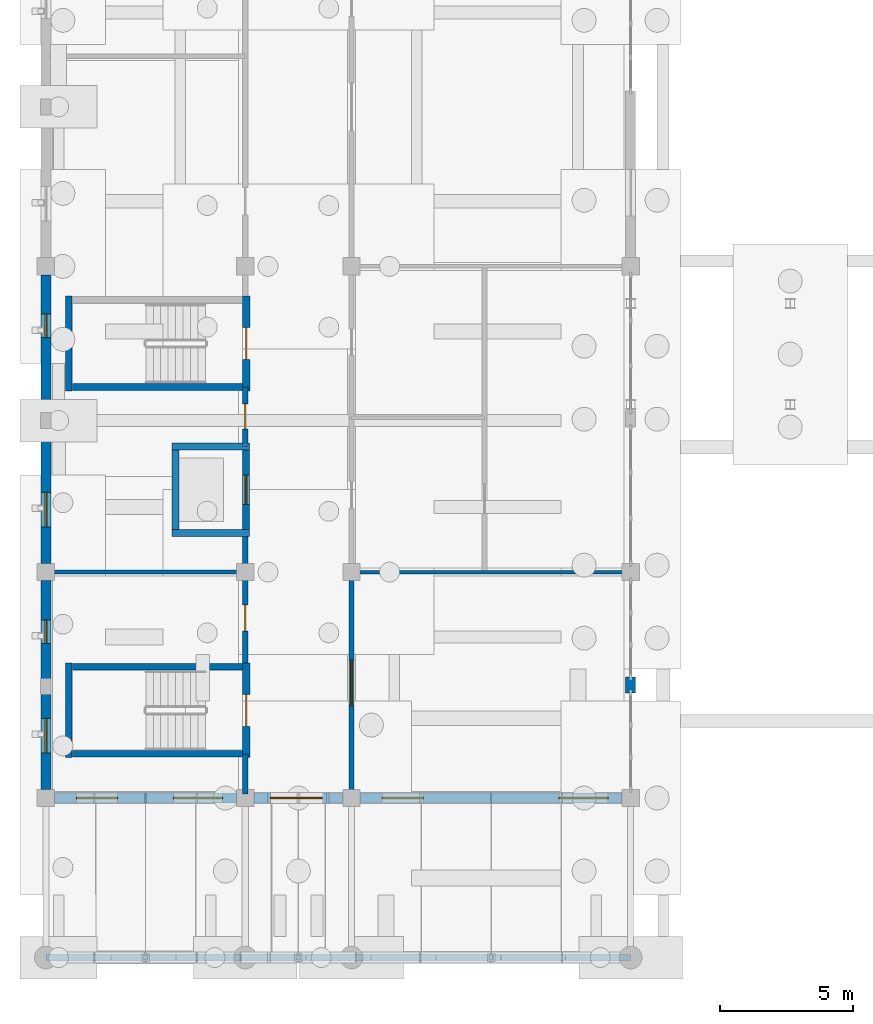
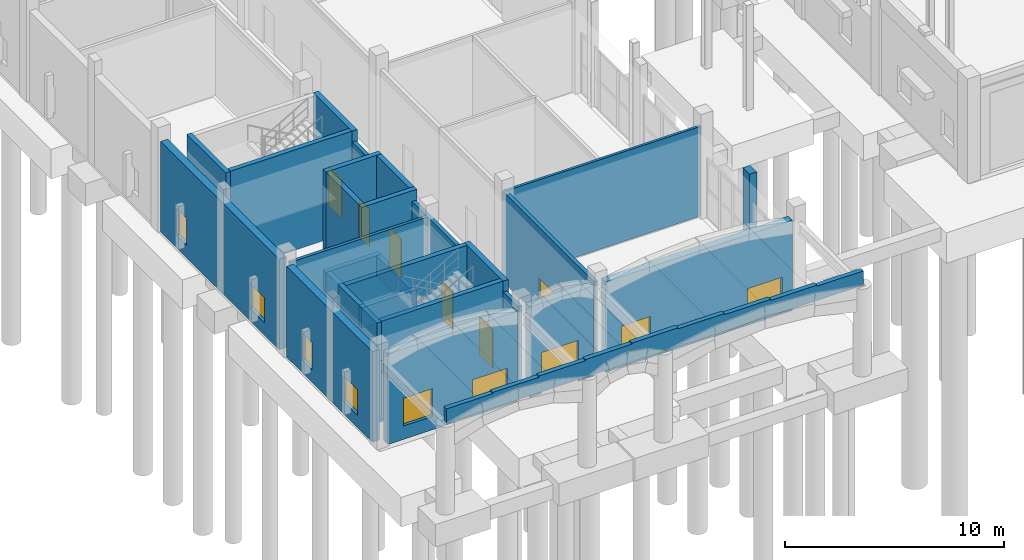
# One storey, part 34 of 60: 28 walls, 8 windows, 7 doors, 15 openings.
"""IFC4 building model written with IfcOpenShell, lengths in metres."""

import ifcopenshell
import ifcopenshell.guid

model = None  # the IFC model being written
_history = None  # IfcOwnerHistory: only IFC2X3 demands one
_inside = {}  # id of a spatial element -> (the spatial element, [elements in it])
_under = {}  # id of a project, library or spatial element -> (it, [spatial elements below it])
_declared = {}  # id of a project -> (the project, [libraries it declares])
_typed = {}  # id of a type object -> (the type object, [elements of that type])
_made_of = {}  # id of a material, layer set ... -> (it, [elements and type objects made of it])


def new_model(schema):
    """Start an empty IFC model of exactly this schema.

    Asked for "IFC4X3", IfcOpenShell would pick the latest addendum, in which some entities
    have other attributes; the version numbers below select the first issue.
    IFC2X3 requires an IfcOwnerHistory on every rooted entity: one is made here for all.
    """
    global model, _history
    if schema == "IFC4X3":
        model = ifcopenshell.file(schema_version=(4, 3, 0, 0))
    else:
        model = ifcopenshell.file(schema=schema)
    _inside.clear()
    _under.clear()
    _declared.clear()
    _typed.clear()
    _made_of.clear()
    _history = None
    if model.schema == "IFC2X3":
        org = make("IfcOrganization", Name="unknown")
        user = make(
            "IfcPersonAndOrganization",
            ThePerson=make("IfcPerson", FamilyName="unknown"),
            TheOrganization=org,
        )
        app = make(
            "IfcApplication",
            ApplicationDeveloper=org,
            Version="unknown",
            ApplicationFullName="unknown",
            ApplicationIdentifier="unknown",
        )
        _history = make(
            "IfcOwnerHistory",
            OwningUser=user,
            OwningApplication=app,
            ChangeAction="ADDED",
            CreationDate=0,
        )
    return model


def make(cls, **values):
    """One entity of the class cls with the attributes given. An attribute that is None is left unset."""
    return model.create_entity(
        cls, **{name: value for name, value in values.items() if value is not None}
    )


def rooted(cls, **values):
    """An entity with a GlobalId (a new one), such as an element, a storey or a relation."""
    return make(cls, GlobalId=ifcopenshell.guid.new(), OwnerHistory=_history, **values)


def si_unit(unit_type, name, prefix=None):
    """IfcSIUnit, for example si_unit("LENGTHUNIT", "METRE", prefix="MILLI")."""
    return make("IfcSIUnit", UnitType=unit_type, Prefix=prefix, Name=name)


def assignment(units):
    """IfcUnitAssignment: the units of a project."""
    return None if units is None else make("IfcUnitAssignment", Units=units)


def point(xyz):
    """IfcCartesianPoint."""
    return None if xyz is None else make("IfcCartesianPoint", Coordinates=xyz)


def direction(xyz):
    """IfcDirection."""
    return None if xyz is None else make("IfcDirection", DirectionRatios=xyz)


def frame(location, z_axis=None, x_axis=None):
    """IfcAxis2Placement3D, a coordinate frame: its origin and axes. An axis left out is left unset."""
    return make(
        "IfcAxis2Placement3D",
        Location=point(location),
        Axis=direction(z_axis),
        RefDirection=direction(x_axis),
    )


def frame_2d(location, x_axis=None):
    """IfcAxis2Placement2D, a coordinate frame in the plane: its origin and x axis."""
    return make(
        "IfcAxis2Placement2D", Location=point(location), RefDirection=direction(x_axis)
    )


def origin():
    """The frame at (0, 0, 0) with its axes left unset."""
    return frame((0.0, 0.0, 0.0))


def place(relative_to, where):
    """IfcLocalPlacement: puts the frame where relative to a parent placement (None: the world)."""
    return make(
        "IfcLocalPlacement", PlacementRelTo=relative_to, RelativePlacement=where
    )


def context(
    kind, dimensions, precision=None, world=None, true_north=None, identifier=None
):
    """IfcGeometricRepresentationContext, for example the 3D "Model" context."""
    return make(
        "IfcGeometricRepresentationContext",
        ContextIdentifier=identifier,
        ContextType=kind,
        CoordinateSpaceDimension=dimensions,
        Precision=precision,
        WorldCoordinateSystem=world,
        TrueNorth=true_north,
    )


def subcontext(parent, identifier, kind, view, scale=None):
    """IfcGeometricRepresentationSubContext, for example "Body" below "Model"."""
    return make(
        "IfcGeometricRepresentationSubContext",
        ContextIdentifier=identifier,
        ContextType=kind,
        ParentContext=parent,
        TargetScale=scale,
        TargetView=view,
    )


def project(units=None, contexts=None):
    """IfcProject with its units and contexts."""
    return rooted(
        "IfcProject",
        Name="project",
        RepresentationContexts=contexts,
        UnitsInContext=assignment(units),
    )


def spatial(cls, under=None, at=None, **own):
    """A site, building, storey or space (cls), placed at a placement, below another one or the project."""
    s = rooted(cls, ObjectPlacement=at, **own)
    if under is not None:
        _under.setdefault(under.id(), (under, []))[1].append(s)
    return s


def polyline(points):
    """IfcPolyline through the points."""
    return make("IfcPolyline", Points=[point(p) for p in points])


def profile(cls, at=None, kind="AREA", **sizes):
    """A parametric profile (cls). Its sizes go by their IFC names, for example OverallWidth=200.0."""
    return make(cls, ProfileType=kind, Position=at, **sizes)


def rectangle(**sizes):
    """IfcRectangleProfileDef."""
    return profile("IfcRectangleProfileDef", **sizes)


def outline(outer, holes=None, kind="AREA"):
    """IfcArbitraryClosedProfileDef: a profile drawn as a closed curve; with holes, ...WithVoids."""
    if holes is None:
        return make("IfcArbitraryClosedProfileDef", ProfileType=kind, OuterCurve=outer)
    return make(
        "IfcArbitraryProfileDefWithVoids",
        ProfileType=kind,
        OuterCurve=outer,
        InnerCurves=holes,
    )


def extrude(swept, where, along, depth):
    """IfcExtrudedAreaSolid: the profile swept, set in the frame where, extruded along a direction by depth."""
    return make(
        "IfcExtrudedAreaSolid",
        SweptArea=swept,
        Position=where,
        ExtrudedDirection=direction(along),
        Depth=depth,
    )


def shape(context_of_items, identifier, shape_type, items):
    """IfcShapeRepresentation: the items that make up one representation, for example the "Body"."""
    return make(
        "IfcShapeRepresentation",
        ContextOfItems=context_of_items,
        RepresentationIdentifier=identifier,
        RepresentationType=shape_type,
        Items=items,
    )


def material(Name=None, Category=None):
    """IfcMaterial."""
    return make("IfcMaterial", Name=Name, Category=Category)


def layer(
    of_material, thickness, ventilated=None, Name=None, Category=None, Priority=None
):
    """IfcMaterialLayer: one layer of a wall or slab, of a material (None: an air gap)."""
    return make(
        "IfcMaterialLayer",
        Material=of_material,
        LayerThickness=thickness,
        IsVentilated=ventilated,
        Name=Name,
        Category=Category,
        Priority=Priority,
    )


def layer_set(layers, Name=None):
    """IfcMaterialLayerSet."""
    return make("IfcMaterialLayerSet", MaterialLayers=layers, LayerSetName=Name)


def made_of(thing, what):
    """Note that an element or type object is made of a material, layer set ...; save() writes the relation."""
    if what is not None:
        _made_of.setdefault(what.id(), (what, []))[1].append(thing)
    return thing


def type_object(cls, material=None, **own):
    """A type object (cls), such as IfcWallType, which elements share."""
    return made_of(rooted(cls, **own), material)


def element(
    cls,
    number,
    at=None,
    inside=None,
    cuts=None,
    type_object=None,
    material=None,
    context=None,
    identifier="Body",
    shape_type=None,
    held_by="IfcProductDefinitionShape",
    body=None,
    shapes=None,
    **own,
):
    """One element of the class cls, such as IfcWall. Its Tag is "e" and its number.

    at: its placement. inside: the storey or other place that contains it. cuts: it is an
    opening in that element (IfcRelVoidsElement). A single representation is given by context,
    identifier, shape_type and body (its items); several are given by shapes. held_by: the class
    of the entity that holds the representations. save() writes the other relations.
    """
    e = rooted(cls, Tag="e%d" % number, ObjectPlacement=at, **own)
    if body is not None:
        shapes = [shape(context, identifier, shape_type, body)]
    if shapes is not None:
        e.Representation = make(held_by, Representations=shapes)
    if inside is not None:
        _inside.setdefault(inside.id(), (inside, []))[1].append(e)
    if cuts is not None:
        rooted(
            "IfcRelVoidsElement", RelatingBuildingElement=cuts, RelatedOpeningElement=e
        )
    if type_object is not None:
        _typed.setdefault(type_object.id(), (type_object, []))[1].append(e)
    return made_of(e, material)


def fill(opening, filler):
    """IfcRelFillsElement: the door or window that sits in an opening."""
    return rooted(
        "IfcRelFillsElement",
        RelatingOpeningElement=opening,
        RelatedBuildingElement=filler,
    )


def aggregate(whole, parts):
    """IfcRelAggregates: a whole, such as a stair, and the parts it consists of."""
    return rooted("IfcRelAggregates", RelatingObject=whole, RelatedObjects=parts)


def save(model, path):
    """Write the relations noted so far, then the file.

    IfcRelAggregates (storeys below a building ...), IfcRelContainedInSpatialStructure (elements
    in a storey), IfcRelDefinesByType, IfcRelAssociatesMaterial and IfcRelDeclares: one each for
    every whole, place, type object, material and project.
    """
    for whole, parts in _under.values():
        aggregate(whole, parts)
    for where, things in _inside.values():
        rooted(
            "IfcRelContainedInSpatialStructure",
            RelatedElements=things,
            RelatingStructure=where,
        )
    for kind, things in _typed.values():
        rooted("IfcRelDefinesByType", RelatedObjects=things, RelatingType=kind)
    for what, things in _made_of.values():
        rooted("IfcRelAssociatesMaterial", RelatedObjects=things, RelatingMaterial=what)
    for by, libraries in _declared.values():
        rooted("IfcRelDeclares", RelatingContext=by, RelatedDefinitions=libraries)
    model.write(path)


model = new_model("IFC4")

# Units and contexts
model_context = context("Model", 3, precision=1e-05, world=origin(), true_north=direction((0.0, 1.0)))
body_context = subcontext(model_context, "Body", "Model", "MODEL_VIEW")
ifc_project = project(units=[si_unit("LENGTHUNIT", "METRE"), si_unit("AREAUNIT", "SQUARE_METRE"), si_unit("VOLUMEUNIT", "CUBIC_METRE"), si_unit("PLANEANGLEUNIT", "RADIAN"), si_unit("MASSUNIT", "GRAM", prefix="KILO")], contexts=[model_context])

# Site, building, storey
site_placement = place(None, origin())
site = spatial("IfcSite", under=ifc_project, at=site_placement, CompositionType="ELEMENT")
building_placement = place(site_placement, origin())
building = spatial("IfcBuilding", under=site, at=building_placement, Name="Trellovar Central Fire Station", CompositionType="ELEMENT")
storey_placement = place(building_placement, origin())
storey = spatial("IfcBuildingStorey", under=building, at=storey_placement, Name="L01", CompositionType="ELEMENT", Elevation=0.0)

# Wall, openings, windows
ifc_material_1 = material(Name="Catalan polychrome brickwork with insulated cavity", Category="masonry")
ifc_layer_1 = layer(ifc_material_1, 0.3798828125)
ifc_layer_set_1 = layer_set([ifc_layer_1], Name="Catalan polychrome brickwork with insulated cavity")
wall_type_1 = type_object("IfcWallType", Name="EW-2", PredefinedType="STANDARD", material=ifc_layer_set_1)
wall_1_placement = place(storey_placement, frame((1.324951171875, 9.0, 0.0), z_axis=(0.0, 0.0, 1.0), x_axis=(1.0, 0.0, 0.0)))
wall_1 = element("IfcWall", 1, at=wall_1_placement, inside=storey, type_object=wall_type_1, Name="V4 L01 south wall 1", PredefinedType="STANDARD", context=body_context, shape_type="SweptSolid", body=[
    extrude(rectangle(XDim=6.85009765625, YDim=0.3798828125, at=frame_2d((3.425048828125, 0.0))), origin(), (0.0, 0.0, 1.0), 5.050048828125),
])
opening_1_placement = place(wall_1_placement, frame((0.824951171875, 0.0, 0.75)))
opening_1 = element("IfcOpeningElement", 2, at=opening_1_placement, cuts=wall_1, Name="Opening W-02", PredefinedType="OPENING", context=body_context, shape_type="SweptSolid", body=[
    extrude(rectangle(XDim=1.550048828125, YDim=1.550048828125, at=frame_2d((0.77490234375, 0.77490234375))), frame((0.0, 0.199951171875, 0.0), z_axis=(0.0, -1.0, 0.0), x_axis=(1.0, 0.0, 0.0)), (0.0, 0.0, 1.0), 0.39990234375),
])
opening_2_placement = place(wall_1_placement, frame((4.47509765625, 0.0, 0.75)))
opening_2 = element("IfcOpeningElement", 3, at=opening_2_placement, cuts=wall_1, Name="Opening W-13", PredefinedType="OPENING", context=body_context, shape_type="SweptSolid", body=[
    extrude(rectangle(XDim=1.85009765625, YDim=1.300048828125, at=frame_2d((0.925048828125, 0.64990234375))), frame((0.0, 0.199951171875, 0.0), z_axis=(0.0, -1.0, 0.0), x_axis=(1.0, 0.0, 0.0)), (0.0, 0.0, 1.0), 0.39990234375),
])
ifc_material_2 = material(Name="Thermally broken bronze anodized aluminum", Category="aluminium")
window_type_1 = type_object("IfcWindowType", Name="WIN-02", PartitioningType="DOUBLE_PANEL_VERTICAL", PredefinedType="WINDOW", material=ifc_material_2)
window_1_placement = place(opening_1_placement, origin())
window_1 = element("IfcWindow", 4, at=window_1_placement, inside=storey, type_object=window_type_1, Name="L01 window W-02", OverallHeight=1.550048828125, OverallWidth=1.550048828125, PartitioningType="DOUBLE_PANEL_VERTICAL", PredefinedType="WINDOW", context=body_context, shape_type="SweptSolid", body=[
    extrude(rectangle(XDim=1.550048828125, YDim=1.550048828125, at=frame_2d((0.77490234375, 0.77490234375))), frame((0.0, 0.030029296875, 0.0), z_axis=(0.0, -1.0, 0.0), x_axis=(1.0, 0.0, 0.0)), (0.0, 0.0, 1.0), 0.06005859375),
])
fill(opening_1, window_1)
ifc_material_3 = material(Name="Thermally broken bronze anodized aluminum", Category="aluminium")
window_type_2 = type_object("IfcWindowType", Name="WIN-13", PartitioningType="DOUBLE_PANEL_HORIZONTAL", PredefinedType="WINDOW", material=ifc_material_3)
window_2_placement = place(opening_2_placement, origin())
window_2 = element("IfcWindow", 5, at=window_2_placement, inside=storey, type_object=window_type_2, Name="L01 window W-13", OverallHeight=1.300048828125, OverallWidth=1.85009765625, PartitioningType="DOUBLE_PANEL_HORIZONTAL", PredefinedType="WINDOW", context=body_context, shape_type="SweptSolid", body=[
    extrude(rectangle(XDim=1.85009765625, YDim=1.300048828125, at=frame_2d((0.925048828125, 0.64990234375))), frame((0.0, 0.030029296875, 0.0), z_axis=(0.0, -1.0, 0.0), x_axis=(1.0, 0.0, 0.0)), (0.0, 0.0, 1.0), 0.06005859375),
])
fill(opening_2, window_2)

# Wall, opening, door
wall_2_placement = place(storey_placement, frame((8.824951171875, 9.0, 0.0), z_axis=(0.0, 0.0, 1.0), x_axis=(1.0, 0.0, 0.0)))
wall_2 = element("IfcWall", 6, at=wall_2_placement, inside=storey, type_object=wall_type_1, Name="V4 L01 south wall 2", PredefinedType="STANDARD", context=body_context, shape_type="SweptSolid", body=[
    extrude(rectangle(XDim=3.35009765625, YDim=0.3798828125, at=frame_2d((1.675048828125, 0.0))), origin(), (0.0, 0.0, 1.0), 5.050048828125),
])
opening_3_placement = place(wall_2_placement, frame((0.625, 0.0, 0.0)))
opening_3 = element("IfcOpeningElement", 7, at=opening_3_placement, cuts=wall_2, Name="Opening EX-1", PredefinedType="OPENING", context=body_context, shape_type="SweptSolid", body=[
    extrude(rectangle(XDim=1.949951171875, YDim=2.300048828125, at=frame_2d((0.97509765625, 1.14990234375))), frame((0.0, 0.199951171875, 0.0), z_axis=(0.0, -1.0, 0.0), x_axis=(1.0, 0.0, 0.0)), (0.0, 0.0, 1.0), 0.39990234375),
])
ifc_material_4 = material(Name="Thermally broken bronze anodized aluminum", Category="aluminium")
door_type_1 = type_object("IfcDoorType", Name="DR-EXT1", OperationType="DOUBLE_DOOR_SINGLE_SWING", PredefinedType="DOOR", material=ifc_material_4)
door_1_placement = place(opening_3_placement, frame((1.949951171875, 0.0, 0.0), z_axis=(0.0, 0.0, 1.0), x_axis=(-1.0, 0.0, 0.0)))
door_1 = element("IfcDoor", 8, at=door_1_placement, inside=storey, type_object=door_type_1, Name="Crew wing south boulevard arcade entrance", OperationType="DOUBLE_DOOR_SINGLE_SWING", OverallHeight=2.300048828125, OverallWidth=1.949951171875, PredefinedType="DOOR", context=body_context, shape_type="SweptSolid", body=[
    extrude(rectangle(XDim=1.949951171875, YDim=2.300048828125, at=frame_2d((0.97509765625, 1.14990234375))), frame((0.0, 0.02490234375, 0.0), z_axis=(0.0, -1.0, 0.0), x_axis=(1.0, 0.0, 0.0)), (0.0, 0.0, 1.0), 0.050048828125),
])
fill(opening_3, door_1)

# Wall, openings, windows
wall_3_placement = place(storey_placement, frame((12.824951171875, 9.0, 0.0), z_axis=(0.0, 0.0, 1.0), x_axis=(1.0, 0.0, 0.0)))
wall_3 = element("IfcWall", 9, at=wall_3_placement, inside=storey, type_object=wall_type_1, Name="V4 L01 south wall 3", PredefinedType="STANDARD", context=body_context, shape_type="SweptSolid", body=[
    extrude(rectangle(XDim=9.85009765625, YDim=0.3798828125, at=frame_2d((4.925048828125, 0.0))), origin(), (0.0, 0.0, 1.0), 5.050048828125),
])
opening_4_placement = place(wall_3_placement, frame((0.824951171875, 0.0, 0.75)))
opening_4 = element("IfcOpeningElement", 10, at=opening_4_placement, cuts=wall_3, Name="Opening W-02", PredefinedType="OPENING", context=body_context, shape_type="SweptSolid", body=[
    extrude(rectangle(XDim=1.550048828125, YDim=1.550048828125, at=frame_2d((0.77490234375, 0.77490234375))), frame((0.0, 0.199951171875, 0.0), z_axis=(0.0, -1.0, 0.0), x_axis=(1.0, 0.0, 0.0)), (0.0, 0.0, 1.0), 0.39990234375),
])
opening_5_placement = place(wall_3_placement, frame((7.47509765625, 0.0, 0.75)))
opening_5 = element("IfcOpeningElement", 11, at=opening_5_placement, cuts=wall_3, Name="Opening W-13", PredefinedType="OPENING", context=body_context, shape_type="SweptSolid", body=[
    extrude(rectangle(XDim=1.85009765625, YDim=1.300048828125, at=frame_2d((0.925048828125, 0.64990234375))), frame((0.0, 0.199951171875, 0.0), z_axis=(0.0, -1.0, 0.0), x_axis=(1.0, 0.0, 0.0)), (0.0, 0.0, 1.0), 0.39990234375),
])
window_3_placement = place(opening_4_placement, origin())
window_3 = element("IfcWindow", 12, at=window_3_placement, inside=storey, type_object=window_type_1, Name="L01 window W-02", OverallHeight=1.550048828125, OverallWidth=1.550048828125, PartitioningType="DOUBLE_PANEL_VERTICAL", PredefinedType="WINDOW", context=body_context, shape_type="SweptSolid", body=[
    extrude(rectangle(XDim=1.550048828125, YDim=1.550048828125, at=frame_2d((0.77490234375, 0.77490234375))), frame((0.0, 0.030029296875, 0.0), z_axis=(0.0, -1.0, 0.0), x_axis=(1.0, 0.0, 0.0)), (0.0, 0.0, 1.0), 0.06005859375),
])
fill(opening_4, window_3)
window_4_placement = place(opening_5_placement, origin())
window_4 = element("IfcWindow", 13, at=window_4_placement, inside=storey, type_object=window_type_2, Name="L01 window W-13", OverallHeight=1.300048828125, OverallWidth=1.85009765625, PartitioningType="DOUBLE_PANEL_HORIZONTAL", PredefinedType="WINDOW", context=body_context, shape_type="SweptSolid", body=[
    extrude(rectangle(XDim=1.85009765625, YDim=1.300048828125, at=frame_2d((0.925048828125, 0.64990234375))), frame((0.0, 0.030029296875, 0.0), z_axis=(0.0, -1.0, 0.0), x_axis=(1.0, 0.0, 0.0)), (0.0, 0.0, 1.0), 0.06005859375),
])
fill(opening_5, window_4)

wall_4_placement = place(storey_placement, frame((1.0, 17.175048828125, 0.0), z_axis=(0.0, 0.0, 1.0), x_axis=(0.0, -1.0, 0.0)))
wall_4 = element("IfcWall", 14, at=wall_4_placement, inside=storey, type_object=wall_type_1, Name="V4 L01 west wall", PredefinedType="STANDARD", context=body_context, shape_type="SweptSolid", body=[
    extrude(rectangle(XDim=7.85009765625, YDim=0.3798828125, at=frame_2d((3.925048828125, 0.0))), origin(), (0.0, 0.0, 1.0), 5.050048828125),
])
opening_6_placement = place(wall_4_placement, frame((1.47509765625, 0.0, 0.699951171875)))
opening_6 = element("IfcOpeningElement", 15, at=opening_6_placement, cuts=wall_4, Name="Opening W-07", PredefinedType="OPENING", context=body_context, shape_type="SweptSolid", body=[
    extrude(rectangle(XDim=0.8798828125, YDim=1.5, at=frame_2d((0.43994140625, 0.75))), frame((0.0, 0.199951171875, 0.0), z_axis=(0.0, -1.0, 0.0), x_axis=(1.0, 0.0, 0.0)), (0.0, 0.0, 1.0), 0.39990234375),
])
opening_7_placement = place(wall_4_placement, frame((5.175048828125, 0.0, 0.699951171875)))
opening_7 = element("IfcOpeningElement", 16, at=opening_7_placement, cuts=wall_4, Name="Opening W-09", PredefinedType="OPENING", context=body_context, shape_type="SweptSolid", body=[
    extrude(rectangle(XDim=1.300048828125, YDim=1.39990234375, at=frame_2d((0.64990234375, 0.699951171875))), frame((0.0, 0.199951171875, 0.0), z_axis=(0.0, -1.0, 0.0), x_axis=(1.0, 0.0, 0.0)), (0.0, 0.0, 1.0), 0.39990234375),
])
ifc_material_5 = material(Name="Thermally broken bronze anodized aluminum", Category="aluminium")
window_type_3 = type_object("IfcWindowType", Name="WIN-07", PartitioningType="SINGLE_PANEL", PredefinedType="WINDOW", material=ifc_material_5)
window_5_placement = place(opening_6_placement, origin())
window_5 = element("IfcWindow", 17, at=window_5_placement, inside=storey, type_object=window_type_3, Name="L01 window W-07", OverallHeight=1.5, OverallWidth=0.8798828125, PartitioningType="SINGLE_PANEL", PredefinedType="WINDOW", context=body_context, shape_type="SweptSolid", body=[
    extrude(rectangle(XDim=0.8798828125, YDim=1.5, at=frame_2d((0.43994140625, 0.75))), frame((0.0, 0.030029296875, 0.0), z_axis=(0.0, -1.0, 0.0), x_axis=(1.0, 0.0, 0.0)), (0.0, 0.0, 1.0), 0.06005859375),
])
fill(opening_6, window_5)
ifc_material_6 = material(Name="Thermally broken bronze anodized aluminum", Category="aluminium")
window_type_4 = type_object("IfcWindowType", Name="WIN-09", PartitioningType="SINGLE_PANEL", PredefinedType="WINDOW", material=ifc_material_6)
window_6_placement = place(opening_7_placement, origin())
window_6 = element("IfcWindow", 18, at=window_6_placement, inside=storey, type_object=window_type_4, Name="L01 window W-09", OverallHeight=1.39990234375, OverallWidth=1.300048828125, PartitioningType="SINGLE_PANEL", PredefinedType="WINDOW", context=body_context, shape_type="SweptSolid", body=[
    extrude(rectangle(XDim=1.300048828125, YDim=1.39990234375, at=frame_2d((0.64990234375, 0.699951171875))), frame((0.0, 0.030029296875, 0.0), z_axis=(0.0, -1.0, 0.0), x_axis=(1.0, 0.0, 0.0)), (0.0, 0.0, 1.0), 0.06005859375),
])
fill(opening_7, window_6)

wall_5_placement = place(storey_placement, frame((1.0, 28.675048828125, 0.0), z_axis=(0.0, 0.0, 1.0), x_axis=(0.0, -1.0, 0.0)))
wall_5 = element("IfcWall", 19, at=wall_5_placement, inside=storey, type_object=wall_type_1, Name="V4 L01 west wall", PredefinedType="STANDARD", context=body_context, shape_type="SweptSolid", body=[
    extrude(rectangle(XDim=10.85009765625, YDim=0.3798828125, at=frame_2d((5.425048828125, 0.0))), origin(), (0.0, 0.0, 1.0), 5.050048828125),
])
opening_8_placement = place(wall_5_placement, frame((1.47509765625, 0.0, 0.699951171875)))
opening_8 = element("IfcOpeningElement", 20, at=opening_8_placement, cuts=wall_5, Name="Opening W-07", PredefinedType="OPENING", context=body_context, shape_type="SweptSolid", body=[
    extrude(rectangle(XDim=0.8798828125, YDim=1.5, at=frame_2d((0.43994140625, 0.75))), frame((0.0, 0.199951171875, 0.0), z_axis=(0.0, -1.0, 0.0), x_axis=(1.0, 0.0, 0.0)), (0.0, 0.0, 1.0), 0.39990234375),
])
opening_9_placement = place(wall_5_placement, frame((8.175048828125, 0.0, 0.699951171875)))
opening_9 = element("IfcOpeningElement", 21, at=opening_9_placement, cuts=wall_5, Name="Opening W-09", PredefinedType="OPENING", context=body_context, shape_type="SweptSolid", body=[
    extrude(rectangle(XDim=1.300048828125, YDim=1.39990234375, at=frame_2d((0.64990234375, 0.699951171875))), frame((0.0, 0.199951171875, 0.0), z_axis=(0.0, -1.0, 0.0), x_axis=(1.0, 0.0, 0.0)), (0.0, 0.0, 1.0), 0.39990234375),
])
window_7_placement = place(opening_8_placement, origin())
window_7 = element("IfcWindow", 22, at=window_7_placement, inside=storey, type_object=window_type_3, Name="L01 window W-07", OverallHeight=1.5, OverallWidth=0.8798828125, PartitioningType="SINGLE_PANEL", PredefinedType="WINDOW", context=body_context, shape_type="SweptSolid", body=[
    extrude(rectangle(XDim=0.8798828125, YDim=1.5, at=frame_2d((0.43994140625, 0.75))), frame((0.0, 0.030029296875, 0.0), z_axis=(0.0, -1.0, 0.0), x_axis=(1.0, 0.0, 0.0)), (0.0, 0.0, 1.0), 0.06005859375),
])
fill(opening_8, window_7)
window_8_placement = place(opening_9_placement, origin())
window_8 = element("IfcWindow", 23, at=window_8_placement, inside=storey, type_object=window_type_4, Name="L01 window W-09", OverallHeight=1.39990234375, OverallWidth=1.300048828125, PartitioningType="SINGLE_PANEL", PredefinedType="WINDOW", context=body_context, shape_type="SweptSolid", body=[
    extrude(rectangle(XDim=1.300048828125, YDim=1.39990234375, at=frame_2d((0.64990234375, 0.699951171875))), frame((0.0, 0.030029296875, 0.0), z_axis=(0.0, -1.0, 0.0), x_axis=(1.0, 0.0, 0.0)), (0.0, 0.0, 1.0), 0.06005859375),
])
fill(opening_9, window_8)

# Walls
wall_6_placement = place(storey_placement, frame((23.0, 12.949951171875, 0.0), z_axis=(0.0, 0.0, 1.0), x_axis=(0.0, 1.0, 0.0)))
element("IfcWall", 24, at=wall_6_placement, inside=storey, type_object=wall_type_1, Name="V4 L01 courtyard mullion pier", PredefinedType="STANDARD", context=body_context, shape_type="SweptSolid", body=[
    extrude(rectangle(XDim=0.60009765625, YDim=0.3798828125, at=frame_2d((0.300048828125, 0.0))), origin(), (0.0, 0.0, 1.0), 5.050048828125),
])
ifc_material_7 = material(Name="Glazed ceramic trencadis and terracotta panel", Category="masonry")
ifc_layer_2 = layer(ifc_material_7, 0.239990234375)
ifc_layer_set_2 = layer_set([ifc_layer_2], Name="Glazed ceramic trencadis and terracotta panel")
wall_type_2 = type_object("IfcWallType", Name="PAR-2", PredefinedType="PARAPET", material=ifc_layer_set_2)
wall_7_placement = place(storey_placement, frame((1.0, 3.0, 4.89990234375), z_axis=(0.0, 0.0, 1.0), x_axis=(1.0, 0.0, 0.0)))
element("IfcWall", 25, at=wall_7_placement, inside=storey, type_object=wall_type_2, Name="L01 Catalan stepped parapet", PredefinedType="PARAPET", context=body_context, shape_type="SweptSolid", body=[
    extrude(outline(polyline([(0.0, 0.0), (22.0, 0.0), (22.0, 0.800048828125), (19.556640625, 0.800048828125), (19.5556640625, 0.862548828125), (17.112060546875, 0.862548828125), (17.111083984375, 0.925048828125), (14.667724609375, 0.925048828125), (14.666748046875, 0.987548828125), (12.22314453125, 0.987548828125), (12.22216796875, 1.050048828125), (9.77880859375, 1.050048828125), (9.77783203125, 0.987548828125), (7.334228515625, 0.987548828125), (7.333251953125, 0.925048828125), (4.889892578125, 0.925048828125), (4.888916015625, 0.862548828125), (2.4453125, 0.862548828125), (2.4443359375, 0.800048828125), (0.0, 0.800048828125), (0.0, 0.0)])), frame((0.0, 0.1201171875, 0.0), z_axis=(0.0, -1.0, 0.0), x_axis=(1.0, 0.0, 0.0)), (0.0, 0.0, 1.0), 0.239990234375),
])
ifc_material_8 = material(Name="Acoustic concrete masonry unit", Category="masonry")
ifc_layer_3 = layer(ifc_material_8, 0.199951171875)
ifc_layer_set_3 = layer_set([ifc_layer_3], Name="Acoustic concrete masonry unit")
wall_type_3 = type_object("IfcWallType", Name="PT-1", PredefinedType="PARTITIONING", material=ifc_layer_set_3)
wall_8_placement = place(storey_placement, frame((8.5, 9.14990234375, 0.0), z_axis=(0.0, 0.0, 1.0), x_axis=(0.0, 1.0, 0.0)))
element("IfcWall", 26, at=wall_8_placement, inside=storey, type_object=wall_type_3, Name="V4 L01 west corridor spine 1", PredefinedType="PARTITIONING", context=body_context, shape_type="SweptSolid", body=[
    extrude(rectangle(XDim=1.510009765625, YDim=0.199951171875, at=frame_2d((0.7548828125, 0.0))), origin(), (0.0, 0.0, 1.0), 5.0),
])

# Wall, opening, door
wall_9_placement = place(storey_placement, frame((8.5, 13.93994140625, 0.0), z_axis=(0.0, 0.0, 1.0), x_axis=(0.0, 1.0, 0.0)))
wall_9 = element("IfcWall", 27, at=wall_9_placement, inside=storey, type_object=wall_type_3, Name="V4 L01 west corridor spine 2", PredefinedType="PARTITIONING", context=body_context, shape_type="SweptSolid", body=[
    extrude(rectangle(XDim=5.030029296875, YDim=0.199951171875, at=frame_2d((2.51513671875, 0.0))), origin(), (0.0, 0.0, 1.0), 5.0),
])
opening_10_placement = place(wall_9_placement, frame((1.35009765625, 0.0, 0.0)))
opening_10 = element("IfcOpeningElement", 28, at=opening_10_placement, cuts=wall_9, Name="Opening ID-7", PredefinedType="OPENING", context=body_context, shape_type="SweptSolid", body=[
    extrude(rectangle(XDim=0.97998046875, YDim=2.1201171875, at=frame_2d((0.489990234375, 1.06005859375))), frame((0.0, 0.10986328125, 0.0), z_axis=(0.0, -1.0, 0.0), x_axis=(1.0, 0.0, 0.0)), (0.0, 0.0, 1.0), 0.219970703125),
])
ifc_material_9 = material(Name="Solid core acoustic white oak veneer", Category="wood")
door_type_2 = type_object("IfcDoorType", Name="DR-INT7", OperationType="SINGLE_SWING_LEFT", PredefinedType="DOOR", material=ifc_material_9)
door_2_placement = place(opening_10_placement, origin())
door_2 = element("IfcDoor", 29, at=door_2_placement, inside=storey, type_object=door_type_2, Name="V4 L01 SW room door", OperationType="SINGLE_SWING_RIGHT", OverallHeight=2.1201171875, OverallWidth=0.97998046875, PredefinedType="DOOR", context=body_context, shape_type="SweptSolid", body=[
    extrude(rectangle(XDim=0.97998046875, YDim=2.1201171875, at=frame_2d((0.489990234375, 1.06005859375))), frame((0.0, 0.02490234375, 0.0), z_axis=(0.0, -1.0, 0.0), x_axis=(1.0, 0.0, 0.0)), (0.0, 0.0, 1.0), 0.050048828125),
])
fill(opening_10, door_2)

wall_10_placement = place(storey_placement, frame((8.5, 22.22998046875, 0.0), z_axis=(0.0, 0.0, 1.0), x_axis=(0.0, 1.0, 0.0)))
wall_10 = element("IfcWall", 30, at=wall_10_placement, inside=storey, type_object=wall_type_3, Name="V4 L01 west corridor spine 3", PredefinedType="PARTITIONING", context=body_context, shape_type="SweptSolid", body=[
    extrude(rectangle(XDim=2.22998046875, YDim=0.199951171875, at=frame_2d((1.114990234375, 0.0))), origin(), (0.0, 0.0, 1.0), 5.0),
])
opening_11_placement = place(wall_10_placement, frame((0.64990234375, 0.0, 0.0)))
opening_11 = element("IfcOpeningElement", 31, at=opening_11_placement, cuts=wall_10, Name="Opening ID-2", PredefinedType="OPENING", context=body_context, shape_type="SweptSolid", body=[
    extrude(rectangle(XDim=0.949951171875, YDim=2.10009765625, at=frame_2d((0.47509765625, 1.050048828125))), frame((0.0, 0.10986328125, 0.0), z_axis=(0.0, -1.0, 0.0), x_axis=(1.0, 0.0, 0.0)), (0.0, 0.0, 1.0), 0.219970703125),
])
ifc_material_10 = material(Name="Solid core acoustic white oak veneer", Category="wood")
door_type_3 = type_object("IfcDoorType", Name="DR-INT2", OperationType="SINGLE_SWING_LEFT", PredefinedType="DOOR", material=ifc_material_10)
door_3_placement = place(opening_11_placement, origin())
door_3 = element("IfcDoor", 32, at=door_3_placement, inside=storey, type_object=door_type_3, Name="V4 L01 mid-west room door", OperationType="SINGLE_SWING_LEFT", OverallHeight=2.10009765625, OverallWidth=0.949951171875, PredefinedType="DOOR", context=body_context, shape_type="SweptSolid", body=[
    extrude(rectangle(XDim=0.949951171875, YDim=2.10009765625, at=frame_2d((0.47509765625, 1.050048828125))), frame((0.0, 0.02490234375, 0.0), z_axis=(0.0, -1.0, 0.0), x_axis=(1.0, 0.0, 0.0)), (0.0, 0.0, 1.0), 0.050048828125),
])
fill(opening_11, door_3)

wall_11_placement = place(storey_placement, frame((12.5, 9.14990234375, 0.0), z_axis=(0.0, 0.0, 1.0), x_axis=(0.0, 1.0, 0.0)))
wall_11 = element("IfcWall", 33, at=wall_11_placement, inside=storey, type_object=wall_type_3, Name="V4 L01 east corridor spine", PredefinedType="PARTITIONING", context=body_context, shape_type="SweptSolid", body=[
    extrude(rectangle(XDim=8.35009765625, YDim=0.199951171875, at=frame_2d((4.175048828125, 0.0))), origin(), (0.0, 0.0, 1.0), 5.0),
])
opening_12_placement = place(wall_11_placement, frame((3.324951171875, 0.0, 0.0)))
opening_12 = element("IfcOpeningElement", 34, at=opening_12_placement, cuts=wall_11, Name="Opening ID-10", PredefinedType="OPENING", context=body_context, shape_type="SweptSolid", body=[
    extrude(rectangle(XDim=1.699951171875, YDim=2.159912109375, at=frame_2d((0.85009765625, 1.080078125))), frame((0.0, 0.10986328125, 0.0), z_axis=(0.0, -1.0, 0.0), x_axis=(1.0, 0.0, 0.0)), (0.0, 0.0, 1.0), 0.219970703125),
])
ifc_material_11 = material(Name="Hollow galvanized steel with acoustic core", Category="steel")
door_type_4 = type_object("IfcDoorType", Name="DR-INT10", OperationType="DOUBLE_DOOR_SINGLE_SWING", PredefinedType="DOOR", material=ifc_material_11)
door_4_placement = place(opening_12_placement, origin())
door_4 = element("IfcDoor", 35, at=door_4_placement, inside=storey, type_object=door_type_4, Name="V4 L01 east room door", OperationType="DOUBLE_DOOR_SINGLE_SWING", OverallHeight=2.159912109375, OverallWidth=1.699951171875, PredefinedType="DOOR", context=body_context, shape_type="SweptSolid", body=[
    extrude(rectangle(XDim=1.699951171875, YDim=2.159912109375, at=frame_2d((0.85009765625, 1.080078125))), frame((0.0, 0.02490234375, 0.0), z_axis=(0.0, -1.0, 0.0), x_axis=(1.0, 0.0, 0.0)), (0.0, 0.0, 1.0), 0.050048828125),
])
fill(opening_12, door_4)

# Walls
ifc_material_12 = material(Name="Acoustic concrete masonry unit", Category="masonry")
ifc_layer_4 = layer(ifc_material_12, 0.159912109375)
ifc_layer_set_4 = layer_set([ifc_layer_4], Name="Acoustic concrete masonry unit")
wall_type_4 = type_object("IfcWallType", Name="PT-2", PredefinedType="PARTITIONING", material=ifc_layer_set_4)
wall_12_placement = place(storey_placement, frame((1.14990234375, 17.5, 0.0), z_axis=(0.0, 0.0, 1.0), x_axis=(1.0, 0.0, 0.0)))
element("IfcWall", 36, at=wall_12_placement, inside=storey, type_object=wall_type_4, Name="V4 L01 west divider Y=17.5", PredefinedType="PARTITIONING", context=body_context, shape_type="SweptSolid", body=[
    extrude(rectangle(XDim=7.35009765625, YDim=0.159912109375, at=frame_2d((3.675048828125, 0.0))), origin(), (0.0, 0.0, 1.0), 5.0),
])
ifc_material_13 = material(Name="Fire-rated acoustic gypsum stud partition", Category="gypsum")
ifc_layer_5 = layer(ifc_material_13, 0.135009765625)
ifc_layer_set_5 = layer_set([ifc_layer_5], Name="Fire-rated acoustic gypsum stud partition")
wall_type_5 = type_object("IfcWallType", Name="PT-7", PredefinedType="PARTITIONING", material=ifc_layer_set_5)
wall_13_placement = place(storey_placement, frame((12.5, 17.5, 0.0), z_axis=(0.0, 0.0, 1.0), x_axis=(1.0, 0.0, 0.0)))
element("IfcWall", 37, at=wall_13_placement, inside=storey, type_object=wall_type_5, Name="V4 L01 east room divider Y=17.50", PredefinedType="PARTITIONING", context=body_context, shape_type="SweptSolid", body=[
    extrude(rectangle(XDim=10.340087890625, YDim=0.135009765625, at=frame_2d((5.169921875, 0.0))), origin(), (0.0, 0.0, 1.0), 5.0),
])

# Wall, opening, door
ifc_material_14 = material(Name="Concrete C40/50", Category="concrete")
ifc_layer_6 = layer(ifc_material_14, 0.280029296875)
ifc_layer_set_6 = layer_set([ifc_layer_6], Name="Concrete C40/50")
wall_type_6 = type_object("IfcWallType", Name="SW-1", PredefinedType="SHEAR", material=ifc_layer_set_6)
wall_14_placement = place(storey_placement, frame((8.5400390625, 14.080078125, 0.0), z_axis=(0.0, 0.0, 1.0), x_axis=(0.0, -1.0, 0.0)))
wall_14 = element("IfcWall", 38, at=wall_14_placement, inside=storey, type_object=wall_type_6, Name="Stair ST-03 L01 front corridor wall", PredefinedType="SHEAR", context=body_context, shape_type="SweptSolid", body=[
    extrude(rectangle(XDim=3.56005859375, YDim=0.280029296875, at=frame_2d((1.780029296875, 0.0))), origin(), (0.0, 0.0, 1.0), 5.60009765625),
])
opening_13_placement = place(wall_14_placement, frame((1.179931640625, 0.0, 0.0)))
opening_13 = element("IfcOpeningElement", 39, at=opening_13_placement, cuts=wall_14, Name="Opening SD-1", PredefinedType="OPENING", context=body_context, shape_type="SweptSolid", body=[
    extrude(rectangle(XDim=1.199951171875, YDim=2.14990234375, at=frame_2d((0.60009765625, 1.074951171875))), frame((0.0, 0.14990234375, 0.0), z_axis=(0.0, -1.0, 0.0), x_axis=(1.0, 0.0, 0.0)), (0.0, 0.0, 1.0), 0.300048828125),
])
ifc_material_15 = material(Name="Hollow galvanized steel with acoustic core", Category="steel")
door_type_5 = type_object("IfcDoorType", Name="DR-STR1", OperationType="SINGLE_SWING_LEFT", PredefinedType="DOOR", material=ifc_material_15)
door_5_placement = place(opening_13_placement, origin())
door_5 = element("IfcDoor", 40, at=door_5_placement, inside=storey, type_object=door_type_5, Name="Stair ST-03 L01 fire door", OperationType="SINGLE_SWING_LEFT", OverallHeight=2.14990234375, OverallWidth=1.199951171875, PredefinedType="DOOR", context=body_context, shape_type="SweptSolid", body=[
    extrude(rectangle(XDim=1.199951171875, YDim=2.14990234375, at=frame_2d((0.60009765625, 1.074951171875))), frame((0.0, 0.02490234375, 0.0), z_axis=(0.0, -1.0, 0.0), x_axis=(1.0, 0.0, 0.0)), (0.0, 0.0, 1.0), 0.050048828125),
])
fill(opening_13, door_5)

wall_15_placement = place(storey_placement, frame((8.5400390625, 27.8798828125, 0.0), z_axis=(0.0, 0.0, 1.0), x_axis=(0.0, -1.0, 0.0)))
wall_15 = element("IfcWall", 41, at=wall_15_placement, inside=storey, type_object=wall_type_6, Name="Stair ST-04 L01 front corridor wall", PredefinedType="SHEAR", context=body_context, shape_type="SweptSolid", body=[
    extrude(rectangle(XDim=3.559814453125, YDim=0.280029296875, at=frame_2d((1.77978515625, 0.0))), origin(), (0.0, 0.0, 1.0), 5.60009765625),
])
opening_14_placement = place(wall_15_placement, frame((1.179931640625, 0.0, 0.0)))
opening_14 = element("IfcOpeningElement", 42, at=opening_14_placement, cuts=wall_15, Name="Opening SD-1", PredefinedType="OPENING", context=body_context, shape_type="SweptSolid", body=[
    extrude(rectangle(XDim=1.199951171875, YDim=2.14990234375, at=frame_2d((0.60009765625, 1.074951171875))), frame((0.0, 0.14990234375, 0.0), z_axis=(0.0, -1.0, 0.0), x_axis=(1.0, 0.0, 0.0)), (0.0, 0.0, 1.0), 0.300048828125),
])
door_6_placement = place(opening_14_placement, origin())
door_6 = element("IfcDoor", 43, at=door_6_placement, inside=storey, type_object=door_type_5, Name="Stair ST-04 L01 fire door", OperationType="SINGLE_SWING_LEFT", OverallHeight=2.14990234375, OverallWidth=1.199951171875, PredefinedType="DOOR", context=body_context, shape_type="SweptSolid", body=[
    extrude(rectangle(XDim=1.199951171875, YDim=2.14990234375, at=frame_2d((0.60009765625, 1.074951171875))), frame((0.0, 0.02490234375, 0.0), z_axis=(0.0, -1.0, 0.0), x_axis=(1.0, 0.0, 0.0)), (0.0, 0.0, 1.0), 0.050048828125),
])
fill(opening_14, door_6)

# Walls
ifc_material_16 = material(Name="Concrete C40/50", Category="concrete")
ifc_layer_7 = layer(ifc_material_16, 0.25)
ifc_layer_set_7 = layer_set([ifc_layer_7], Name="Concrete C40/50")
wall_type_7 = type_object("IfcWallType", Name="SW-2", PredefinedType="SHEAR", material=ifc_layer_set_7)
wall_16_placement = place(storey_placement, frame((1.860107421875, 10.52001953125, 0.0), z_axis=(0.0, 0.0, 1.0), x_axis=(0.0, 1.0, 0.0)))
element("IfcWall", 44, at=wall_16_placement, inside=storey, type_object=wall_type_7, Name="Stair ST-03 L01 rear wall", PredefinedType="SHEAR", context=body_context, shape_type="SweptSolid", body=[
    extrude(rectangle(XDim=3.56005859375, YDim=0.25, at=frame_2d((1.780029296875, 0.0))), origin(), (0.0, 0.0, 1.0), 5.60009765625),
])
for number, where, z_axis, x_axis, name in (
    (45, (8.39990234375, 13.93994140625, 0.0), (0.0, 0.0, 1.0), (-1.0, 0.0, 0.0), "Stair ST-03 L01 left wall"),
    (46, (2.0, 10.659912109375, 0.0), (0.0, 0.0, 1.0), (1.0, 0.0, 0.0), "Stair ST-03 L01 right wall"),
):
    element("IfcWall", number, at=place(storey_placement, frame(where, z_axis=z_axis, x_axis=x_axis)), inside=storey, type_object=wall_type_7, Name=name, PredefinedType="SHEAR", context=body_context, shape_type="SweptSolid", body=[
        extrude(rectangle(XDim=6.39990234375, YDim=0.25, at=frame_2d((3.199951171875, 0.0))), origin(), (0.0, 0.0, 1.0), 5.60009765625),
    ])
wall_17_placement = place(storey_placement, frame((1.860107421875, 24.320068359375, 0.0), z_axis=(0.0, 0.0, 1.0), x_axis=(0.0, 1.0, 0.0)))
element("IfcWall", 47, at=wall_17_placement, inside=storey, type_object=wall_type_7, Name="Stair ST-04 L01 rear wall", PredefinedType="SHEAR", context=body_context, shape_type="SweptSolid", body=[
    extrude(rectangle(XDim=3.559814453125, YDim=0.25, at=frame_2d((1.77978515625, 0.0))), origin(), (0.0, 0.0, 1.0), 5.60009765625),
])
wall_18_placement = place(storey_placement, frame((2.0, 24.4599609375, 0.0), z_axis=(0.0, 0.0, 1.0), x_axis=(1.0, 0.0, 0.0)))
element("IfcWall", 48, at=wall_18_placement, inside=storey, type_object=wall_type_7, Name="Stair ST-04 L01 right wall", PredefinedType="SHEAR", context=body_context, shape_type="SweptSolid", body=[
    extrude(rectangle(XDim=6.39990234375, YDim=0.25, at=frame_2d((3.199951171875, 0.0))), origin(), (0.0, 0.0, 1.0), 5.60009765625),
])
ifc_material_17 = material(Name="Concrete C40/50", Category="concrete")
ifc_layer_8 = layer(ifc_material_17, 0.260009765625)
ifc_layer_set_8 = layer_set([ifc_layer_8], Name="Concrete C40/50")
wall_type_8 = type_object("IfcWallType", Name="SW-4", PredefinedType="SHEAR", material=ifc_layer_set_8)
for number, where, z_axis, x_axis, name in (
    (49, (5.739990234375, 18.969970703125, -1.14990234375), (0.0, 0.0, 1.0), (1.0, 0.0, 0.0), "Lift EL-03 pit wall S"),
    (50, (8.659912109375, 22.22998046875, -1.14990234375), (0.0, 0.0, 1.0), (-1.0, 0.0, 0.0), "Lift EL-03 pit wall N"),
):
    element("IfcWall", number, at=place(storey_placement, frame(where, z_axis=z_axis, x_axis=x_axis)), inside=storey, type_object=wall_type_8, Name=name, PredefinedType="SHEAR", context=body_context, shape_type="SweptSolid", body=[
        extrude(rectangle(XDim=2.919921875, YDim=0.260009765625, at=frame_2d((1.4599609375, 0.0))), origin(), (0.0, 0.0, 1.0), 1.14990234375),
    ])
for number, where, z_axis, x_axis, name in (
    (51, (5.8701171875, 22.10009765625, -1.14990234375), (0.0, 0.0, 1.0), (0.0, -1.0, 0.0), "Lift EL-03 pit wall W"),
    (52, (8.530029296875, 19.10009765625, -1.14990234375), (0.0, 0.0, 1.0), (0.0, 1.0, 0.0), "Lift EL-03 pit wall E"),
):
    element("IfcWall", number, at=place(storey_placement, frame(where, z_axis=z_axis, x_axis=x_axis)), inside=storey, type_object=wall_type_8, Name=name, PredefinedType="SHEAR", context=body_context, shape_type="SweptSolid", body=[
        extrude(rectangle(XDim=3.0, YDim=0.260009765625, at=frame_2d((1.5, 0.0))), origin(), (0.0, 0.0, 1.0), 1.14990234375),
    ])
for number, where, z_axis, x_axis, name in (
    (53, (5.739990234375, 18.969970703125, 0.0), (0.0, 0.0, 1.0), (1.0, 0.0, 0.0), "Lift EL-03 L01 S wall"),
    (54, (8.659912109375, 22.22998046875, 0.0), (0.0, 0.0, 1.0), (-1.0, 0.0, 0.0), "Lift EL-03 L01 N wall"),
):
    element("IfcWall", number, at=place(storey_placement, frame(where, z_axis=z_axis, x_axis=x_axis)), inside=storey, type_object=wall_type_8, Name=name, PredefinedType="SHEAR", context=body_context, shape_type="SweptSolid", body=[
        extrude(rectangle(XDim=2.919921875, YDim=0.260009765625, at=frame_2d((1.4599609375, 0.0))), origin(), (0.0, 0.0, 1.0), 5.60009765625),
    ])
wall_19_placement = place(storey_placement, frame((5.8701171875, 22.10009765625, 0.0), z_axis=(0.0, 0.0, 1.0), x_axis=(0.0, -1.0, 0.0)))
element("IfcWall", 55, at=wall_19_placement, inside=storey, type_object=wall_type_8, Name="Lift EL-03 L01 W wall", PredefinedType="SHEAR", context=body_context, shape_type="SweptSolid", body=[
    extrude(rectangle(XDim=3.0, YDim=0.260009765625, at=frame_2d((1.5, 0.0))), origin(), (0.0, 0.0, 1.0), 5.60009765625),
])

# Wall, opening, door
wall_20_placement = place(storey_placement, frame((8.530029296875, 19.10009765625, 0.0), z_axis=(0.0, 0.0, 1.0), x_axis=(0.0, 1.0, 0.0)))
wall_20 = element("IfcWall", 56, at=wall_20_placement, inside=storey, type_object=wall_type_8, Name="Lift EL-03 L01 E wall", PredefinedType="SHEAR", context=body_context, shape_type="SweptSolid", body=[
    extrude(rectangle(XDim=3.0, YDim=0.260009765625, at=frame_2d((1.5, 0.0))), origin(), (0.0, 0.0, 1.0), 5.60009765625),
])
opening_15_placement = place(wall_20_placement, frame((0.949951171875, 0.0, 0.0)))
opening_15 = element("IfcOpeningElement", 57, at=opening_15_placement, cuts=wall_20, Name="Opening LD-1", PredefinedType="OPENING", context=body_context, shape_type="SweptSolid", body=[
    extrude(rectangle(XDim=1.10009765625, YDim=2.14990234375, at=frame_2d((0.550048828125, 1.074951171875))), frame((0.0, 0.139892578125, 0.0), z_axis=(0.0, -1.0, 0.0), x_axis=(1.0, 0.0, 0.0)), (0.0, 0.0, 1.0), 0.280029296875),
])
ifc_material_18 = material(Name="Brushed stainless steel", Category="steel")
door_type_6 = type_object("IfcDoorType", Name="DR-LFT1", OperationType="SLIDING_TO_LEFT", PredefinedType="DOOR", material=ifc_material_18)
door_7_placement = place(opening_15_placement, origin())
door_7 = element("IfcDoor", 58, at=door_7_placement, inside=storey, type_object=door_type_6, Name="Elevator EL-03 L01 sliding landing door", OperationType="SLIDING_TO_LEFT", OverallHeight=2.14990234375, OverallWidth=1.10009765625, PredefinedType="DOOR", context=body_context, shape_type="SweptSolid", body=[
    extrude(rectangle(XDim=1.10009765625, YDim=2.14990234375, at=frame_2d((0.550048828125, 1.074951171875))), frame((0.0, 0.02490234375, 0.0), z_axis=(0.0, -1.0, 0.0), x_axis=(1.0, 0.0, 0.0)), (0.0, 0.0, 1.0), 0.050048828125),
])
fill(opening_15, door_7)

save(model, "model.ifc")
